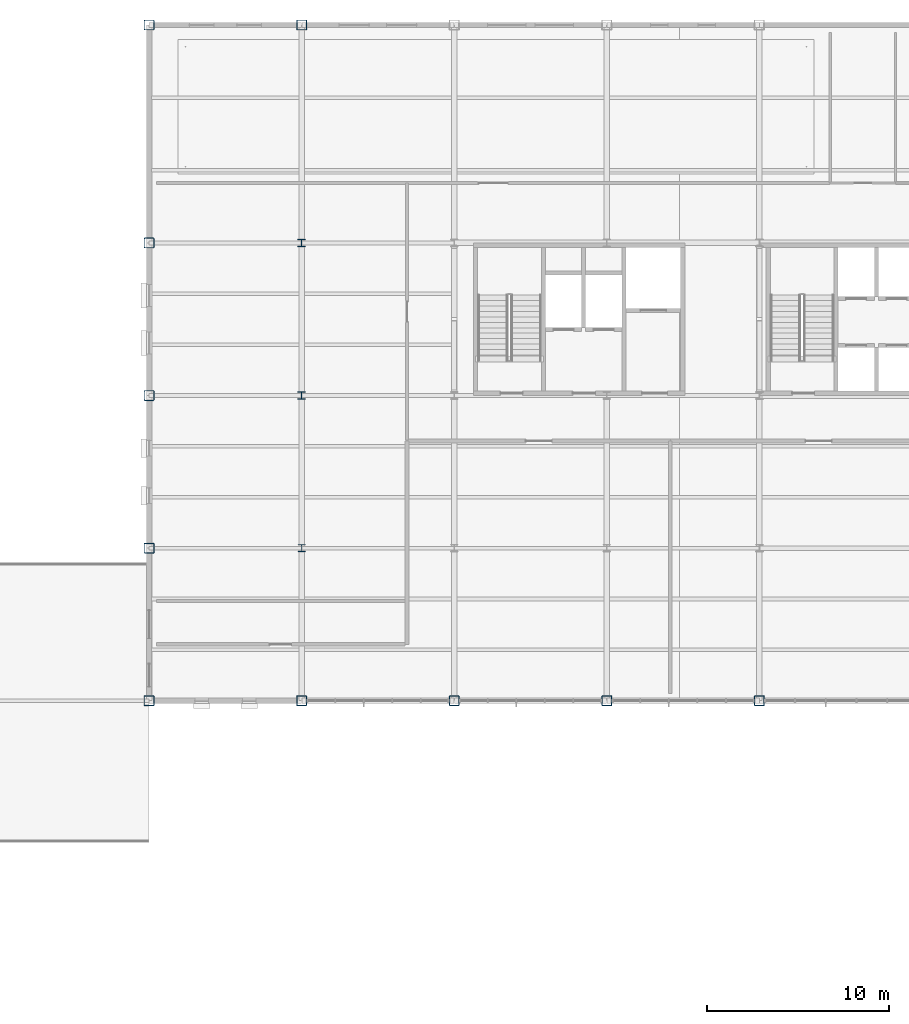
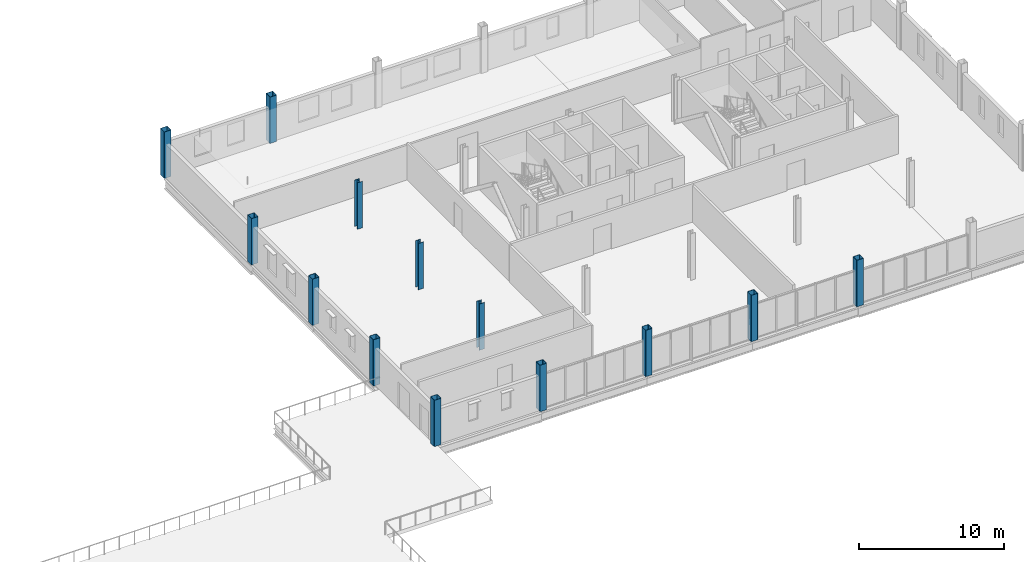
# One storey, part 3 of 77: 13 columns.
"""IFC4 building model written with IfcOpenShell, lengths in metres."""

from ifc_helpers import new_model, si_unit, direction, frame, origin, origin_2d, place, context, subcontext, project, spatial, hollow_rectangle, i_section, extrude, material, material_profile, profile_set, type_object, element, save


model = new_model("IFC4")

# Units and contexts
model_context = context("Model", 3, precision=1e-05, world=origin(), true_north=direction((0.0, 1.0)))
body_context = subcontext(model_context, "Body", "Model", "MODEL_VIEW")
ifc_project = project(units=[si_unit("LENGTHUNIT", "METRE"), si_unit("AREAUNIT", "SQUARE_METRE"), si_unit("VOLUMEUNIT", "CUBIC_METRE"), si_unit("PLANEANGLEUNIT", "RADIAN"), si_unit("MASSUNIT", "GRAM", prefix="KILO")], contexts=[model_context])

# Site, building, storey
site_placement = place(None, origin())
site = spatial("IfcSite", under=ifc_project, at=site_placement, CompositionType="ELEMENT")
building_placement = place(site_placement, origin())
building = spatial("IfcBuilding", under=site, at=building_placement, Name="Yukiwa Park Conservatory and Herbarium", CompositionType="ELEMENT")
storey_placement = place(building_placement, frame((0.0, 0.0, 13.199951171875)))
storey = spatial("IfcBuildingStorey", under=building, at=storey_placement, Name="L03", CompositionType="ELEMENT", Elevation=13.199951171875)

# Columns
ifc_material_1 = material(Name="Steel Q355D", Category="steel")
ifc_material_profile_1 = material_profile(ifc_material_1, hollow_rectangle(XDim=0.550048828125, YDim=0.550048828125, WallThickness=0.02197265625, InnerFilletRadius=0.02197265625, OuterFilletRadius=0.0439453125, at=origin_2d()), Name="BOX 550x550x22")
ifc_profile_set_1 = profile_set([ifc_material_profile_1], Name="Steel Q355D")
column_type_1 = type_object("IfcColumnType", Name="COL-TW-BOX550-EXT", PredefinedType="COLUMN", material=ifc_profile_set_1)
for number, where, z_axis, x_axis, name in (
    (1, (116.39990234375, 78.0, 0.0), (0.0, 0.0, 1.0), (1.0, 0.0, 0.0), "L03 column V5-X1164-Y780"),
    (2, (116.39990234375, 86.39990234375, 0.0), (0.0, 0.0, 1.0), (1.0, 0.0, 0.0), "L03 column V5-X1164-Y864"),
    (3, (116.39990234375, 94.800048828125, 0.0), (0.0, 0.0, 1.0), (1.0, 0.0, 0.0), "L03 column V5-X1164-Y948"),
    (4, (116.39990234375, 103.199951171875, 0.0), (0.0, 0.0, 1.0), (1.0, 0.0, 0.0), "L03 column V5-X1164-Y1032"),
    (5, (116.39990234375, 115.199951171875, 0.0), (0.0, 0.0, 1.0), (1.0, 0.0, 0.0), "L03 column V5-X1164-Y1152"),
    (6, (124.800048828125, 78.0, 0.0), (0.0, 0.0, 1.0), (1.0, 0.0, 0.0), "L03 column V5-X1248-Y780"),
    (7, (124.800048828125, 115.199951171875, 0.0), (0.0, 0.0, 1.0), (1.0, 0.0, 0.0), "L03 column V5-X1248-Y1152"),
    (8, (133.199951171875, 78.0, 0.0), (0.0, 0.0, 1.0), (1.0, 0.0, 0.0), "L03 column V5-X1332-Y780"),
    (9, (141.60009765625, 78.0, 0.0), (0.0, 0.0, 1.0), (1.0, 0.0, 0.0), "L03 column V5-X1416-Y780"),
    (10, (150.0, 78.0, 0.0), (0.0, 0.0, 1.0), (1.0, 0.0, 0.0), "L03 column V5-X1500-Y780"),
):
    element("IfcColumn", number, at=place(storey_placement, frame(where, z_axis=z_axis, x_axis=x_axis)), inside=storey, type_object=column_type_1, Name=name, PredefinedType="COLUMN", context=body_context, shape_type="SweptSolid", body=[
        extrude(hollow_rectangle(XDim=0.550048828125, YDim=0.550048828125, WallThickness=0.02197265625, InnerFilletRadius=0.02197265625, OuterFilletRadius=0.0439453125, at=origin_2d()), origin(), (0.0, 0.0, 1.0), 3.900146484375),
    ])
ifc_material_2 = material(Name="Steel Q355D", Category="steel")
ifc_material_profile_2 = material_profile(ifc_material_2, i_section(OverallWidth=0.39990234375, OverallDepth=0.39990234375, WebThickness=0.012939453125, FlangeThickness=0.02099609375, FilletRadius=0.02197265625, at=origin_2d()), Name="HW 400x400x13x21")
ifc_profile_set_2 = profile_set([ifc_material_profile_2], Name="Steel Q355D")
column_type_2 = type_object("IfcColumnType", Name="COL-TW-HW400", PredefinedType="COLUMN", material=ifc_profile_set_2)
column_placement = place(storey_placement, frame((124.800048828125, 86.39990234375, 0.0), z_axis=(0.0, 0.0, 1.0), x_axis=(1.0, 0.0, 0.0)))
element("IfcColumn", 11, at=column_placement, inside=storey, type_object=column_type_2, Name="L03 column V5-X1248-Y864", PredefinedType="COLUMN", context=body_context, shape_type="SweptSolid", body=[
    extrude(i_section(OverallWidth=0.39990234375, OverallDepth=0.39990234375, WebThickness=0.012939453125, FlangeThickness=0.02099609375, FilletRadius=0.02197265625, at=origin_2d()), origin(), (0.0, 0.0, 1.0), 3.900146484375),
])
ifc_material_3 = material(Name="Steel Q355D", Category="steel")
ifc_material_profile_3 = material_profile(ifc_material_3, i_section(OverallWidth=0.405029296875, OverallDepth=0.4140625, WebThickness=0.01806640625, FlangeThickness=0.028076171875, FilletRadius=0.02197265625, at=origin_2d()), Name="HW 414x405x18x28")
ifc_profile_set_3 = profile_set([ifc_material_profile_3], Name="Steel Q355D")
column_type_3 = type_object("IfcColumnType", Name="COL-TW-HW414", PredefinedType="COLUMN", material=ifc_profile_set_3)
for number, where, z_axis, x_axis, name in (
    (12, (124.800048828125, 94.800048828125, 0.0), (0.0, 0.0, 1.0), (1.0, 0.0, 0.0), "L03 column V5-X1248-Y948"),
    (13, (124.800048828125, 103.199951171875, 0.0), (0.0, 0.0, 1.0), (1.0, 0.0, 0.0), "L03 column V5-X1248-Y1032"),
):
    element("IfcColumn", number, at=place(storey_placement, frame(where, z_axis=z_axis, x_axis=x_axis)), inside=storey, type_object=column_type_3, Name=name, PredefinedType="COLUMN", context=body_context, shape_type="SweptSolid", body=[
        extrude(i_section(OverallWidth=0.405029296875, OverallDepth=0.4140625, WebThickness=0.01806640625, FlangeThickness=0.028076171875, FilletRadius=0.02197265625, at=origin_2d()), origin(), (0.0, 0.0, 1.0), 3.900146484375),
    ])

save(model, "model.ifc")
